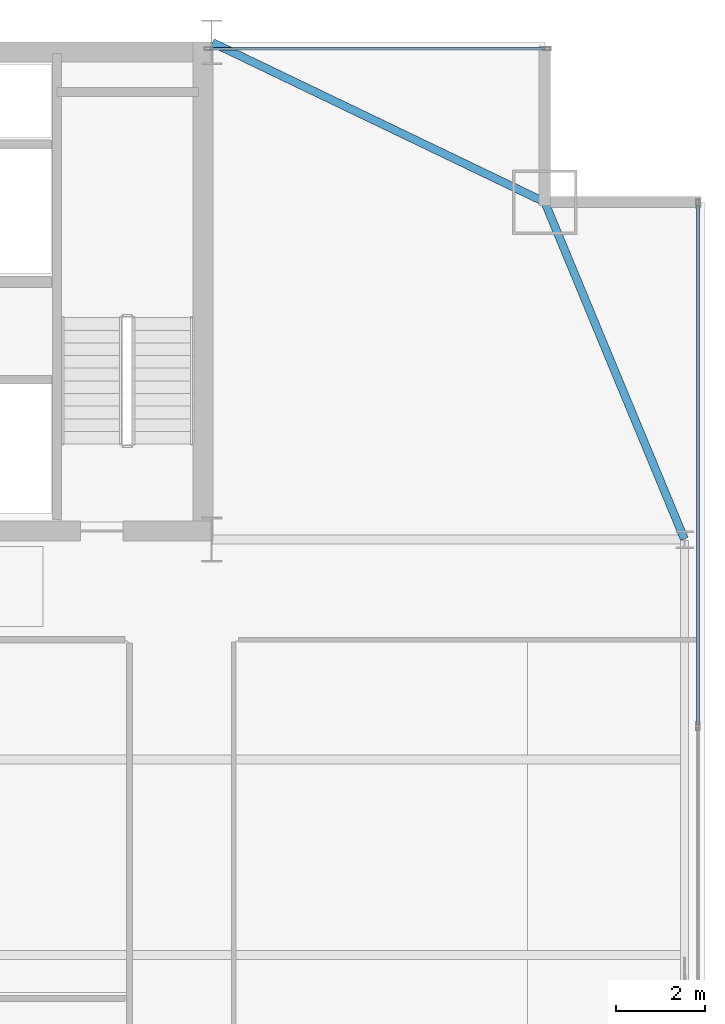
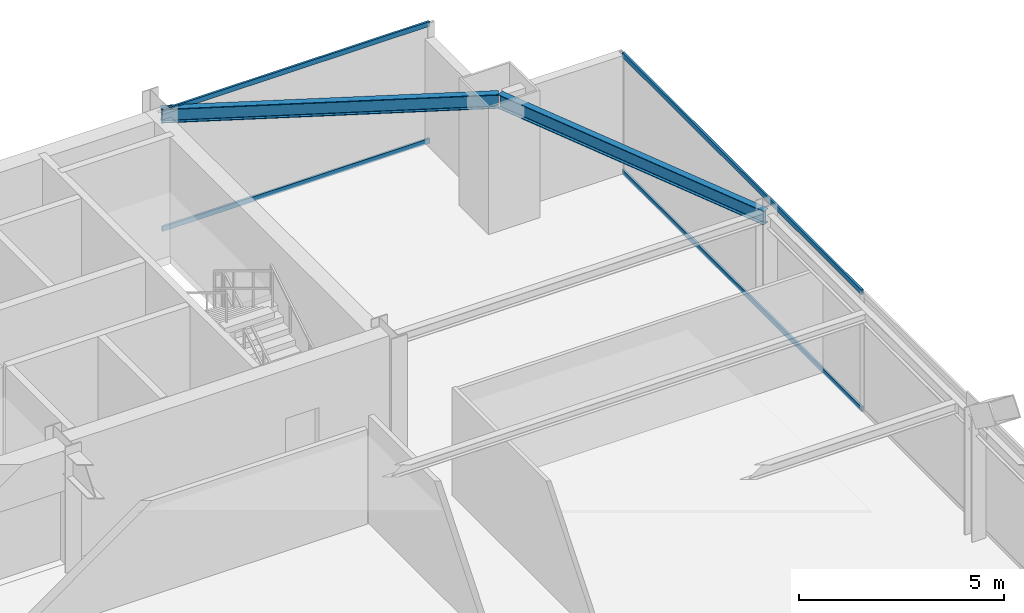
# One storey, part 25 of 37: 4 members, 2 beams, 2 elements without a shape of their own.
"""IFC4 building model written with IfcOpenShell, lengths in metres."""

from ifc_helpers import new_model, si_unit, direction, frame, origin, origin_2d, place, context, subcontext, project, spatial, hollow_rectangle, i_section, extrude, source, transform, mapped, material, layer, layer_set, material_profile, profile_set, type_object, type_shapes, element, aggregate, save


model = new_model("IFC4")

# Units and contexts
model_context = context("Model", 3, precision=1e-05, world=origin(), true_north=direction((0.0, 1.0)))
body_context = subcontext(model_context, "Body", "Model", "MODEL_VIEW")
ifc_project = project(units=[si_unit("LENGTHUNIT", "METRE"), si_unit("AREAUNIT", "SQUARE_METRE"), si_unit("VOLUMEUNIT", "CUBIC_METRE"), si_unit("PLANEANGLEUNIT", "RADIAN"), si_unit("MASSUNIT", "GRAM", prefix="KILO")], contexts=[model_context])

# Site, building, storey
site_placement = place(None, origin())
site = spatial("IfcSite", under=ifc_project, at=site_placement, CompositionType="ELEMENT")
building_placement = place(site_placement, origin())
building = spatial("IfcBuilding", under=site, at=building_placement, Name="Varnel Quay Broadcast Tower", CompositionType="ELEMENT")
storey_placement = place(building_placement, frame((0.0, 0.0, 106.800048828125)))
storey = spatial("IfcBuildingStorey", under=building, at=storey_placement, Name="L25", CompositionType="ELEMENT", Elevation=106.800048828125)

# Beams
ifc_material_1 = material(Name="Structural Steel CSA G40.21 350W", Category="steel")
ifc_material_profile_1 = material_profile(ifc_material_1, i_section(OverallWidth=0.180908203125, OverallDepth=0.4169921875, WebThickness=0.010986328125, FlangeThickness=0.018310546875, FilletRadius=0.011962890625, at=origin_2d()), Name="W410X85")
ifc_profile_set_1 = profile_set([ifc_material_profile_1], Name="Structural Steel CSA G40.21 350W")
beam_type = type_object("IfcBeamType", Name="Beam_W410X85", PredefinedType="SPANDREL", material=ifc_profile_set_1)
shared_shape_1 = source(origin(), body_context, "Body", "SweptSolid", [
    extrude(i_section(OverallWidth=0.180908203125, OverallDepth=0.4169921875, WebThickness=0.010986328125, FlangeThickness=0.018310546875, FilletRadius=0.011962890625, at=origin_2d()), origin(), (0.0, 0.0, 1.0), 8.186767578125),
])
beam_1_placement = place(storey_placement, frame((63.042236328125, 35.618408203125, 3.341552734375), z_axis=(-0.382874132092, 0.923800519038, 0.0), x_axis=(-0.923800519038, -0.382874132092, 0.0)))
element("IfcBeam", 1, at=beam_1_placement, inside=storey, type_object=beam_type, Name="L25 East Spandrel TC-E3-MC-NE", PredefinedType="SPANDREL", context=body_context, shape_type="MappedRepresentation", body=[
    mapped(shared_shape_1, transform((0.0, 0.0, 0.0), x_axis=(1.0, 0.0, 0.0), y_axis=(0.0, 1.0, 0.0), z_axis=(0.0, 0.0, 1.0), scale=1.0)),
])
shared_shape_2 = source(origin(), body_context, "Body", "SweptSolid", [
    extrude(i_section(OverallWidth=0.180908203125, OverallDepth=0.4169921875, WebThickness=0.010986328125, FlangeThickness=0.018310546875, FilletRadius=0.011962890625, at=origin_2d()), origin(), (0.0, 0.0, 1.0), 8.279296875),
])
type_shapes(beam_type, [shared_shape_1, shared_shape_2])
beam_2_placement = place(storey_placement, frame((52.41796875, 46.791259765625, 3.341552734375), z_axis=(0.901535021024, -0.432706142626, 0.0), x_axis=(0.432706142626, 0.901535021024, 0.0)))
element("IfcBeam", 2, at=beam_2_placement, inside=storey, type_object=beam_type, Name="L25 NE Tie Spandrel", PredefinedType="SPANDREL", context=body_context, shape_type="MappedRepresentation", body=[
    mapped(shared_shape_2, transform((0.0, 0.0, 0.0), x_axis=(1.0, 0.0, 0.0), y_axis=(0.0, 1.0, 0.0), z_axis=(0.0, 0.0, 1.0), scale=1.0)),
])

# Curtain wall, members
ifc_material_2 = material(Name="Anodised Bronze Aluminium 6063-T6", Category="aluminium")
ifc_layer = layer(ifc_material_2, 0.18994140625, Name="Anodised Bronze Aluminium 6063-T6")
ifc_layer_set = layer_set([ifc_layer], Name="Anodised Bronze Aluminium 6063-T6")
curtain_wall_type = type_object("IfcCurtainWallType", Name="CW_LowerTower", PredefinedType="NOTDEFINED", material=ifc_layer_set)
curtain_wall_1_placement = place(storey_placement, origin())
curtain_wall_1 = element("IfcCurtainWall", 3, at=curtain_wall_1_placement, inside=storey, type_object=curtain_wall_type, Name="L25 East Unitised Curtain Wall", PredefinedType="NOTDEFINED")
ifc_material_profile_2 = material_profile(ifc_material_2, hollow_rectangle(XDim=0.06005859375, YDim=0.14501953125, WallThickness=0.00341796875, at=origin_2d()), Name="ALU60X145X3.5")
ifc_profile_set_2 = profile_set([ifc_material_profile_2], Name="Anodised Bronze Aluminium 6063-T6")
member_type = type_object("IfcMemberType", Name="Tran_CWS-02", PredefinedType="USERDEFINED", material=ifc_profile_set_2)
shared_shape_3 = source(origin(), body_context, "Body", "SweptSolid", [
    extrude(hollow_rectangle(XDim=0.06005859375, YDim=0.14501953125, WallThickness=0.00341796875, at=origin_2d()), origin(), (0.0, 0.0, 1.0), 11.69482421875),
])
member_1_placement = place(storey_placement, frame((63.35009765625, 31.43505859375, 0.030029296875), z_axis=(0.0, 1.0, 0.0), x_axis=(-1.0, 0.0, 0.0)))
member_1 = element("IfcMember", 4, at=member_1_placement, type_object=member_type, Name="CWS-02 transom 3.1", ObjectType="TRANSOM", PredefinedType="USERDEFINED", context=body_context, shape_type="MappedRepresentation", body=[
    mapped(shared_shape_3, transform((0.0, 0.0, 0.0), x_axis=(1.0, 0.0, 0.0), y_axis=(0.0, 1.0, 0.0), z_axis=(0.0, 0.0, 1.0), scale=1.0)),
])
member_2_placement = place(storey_placement, frame((63.35009765625, 31.43505859375, 3.52001953125), z_axis=(0.0, 1.0, 0.0), x_axis=(-1.0, 0.0, 0.0)))
member_2 = element("IfcMember", 5, at=member_2_placement, type_object=member_type, Name="CWS-02 transom 3.2", ObjectType="TRANSOM", PredefinedType="USERDEFINED", context=body_context, shape_type="MappedRepresentation", body=[
    mapped(shared_shape_3, transform((0.0, 0.0, 0.0), x_axis=(1.0, 0.0, 0.0), y_axis=(0.0, 1.0, 0.0), z_axis=(0.0, 0.0, 1.0), scale=1.0)),
])
aggregate(curtain_wall_1, [member_1, member_2])

curtain_wall_2_placement = place(storey_placement, origin())
curtain_wall_2 = element("IfcCurtainWall", 6, at=curtain_wall_2_placement, inside=storey, type_object=curtain_wall_type, Name="L25 NE Wing Curtain Wall", PredefinedType="NOTDEFINED")
shared_shape_4 = source(origin(), body_context, "Body", "SweptSolid", [
    extrude(hollow_rectangle(XDim=0.06005859375, YDim=0.14501953125, WallThickness=0.00341796875, at=origin_2d()), origin(), (0.0, 0.0, 1.0), 7.539794921875),
])
type_shapes(member_type, [shared_shape_3, shared_shape_4])
member_3_placement = place(storey_placement, frame((52.3701171875, 46.64990234375, 0.030029296875), z_axis=(1.0, 0.0, 0.0), x_axis=(0.0, 1.0, 0.0)))
member_3 = element("IfcMember", 7, at=member_3_placement, type_object=member_type, Name="CWS-02 transom 1.1", ObjectType="TRANSOM", PredefinedType="USERDEFINED", context=body_context, shape_type="MappedRepresentation", body=[
    mapped(shared_shape_4, transform((0.0, 0.0, 0.0), x_axis=(1.0, 0.0, 0.0), y_axis=(0.0, 1.0, 0.0), z_axis=(0.0, 0.0, 1.0), scale=1.0)),
])
member_4_placement = place(storey_placement, frame((52.3701171875, 46.64990234375, 3.52001953125), z_axis=(1.0, 0.0, 0.0), x_axis=(0.0, 1.0, 0.0)))
member_4 = element("IfcMember", 8, at=member_4_placement, type_object=member_type, Name="CWS-02 transom 1.2", ObjectType="TRANSOM", PredefinedType="USERDEFINED", context=body_context, shape_type="MappedRepresentation", body=[
    mapped(shared_shape_4, transform((0.0, 0.0, 0.0), x_axis=(1.0, 0.0, 0.0), y_axis=(0.0, 1.0, 0.0), z_axis=(0.0, 0.0, 1.0), scale=1.0)),
])
aggregate(curtain_wall_2, [member_3, member_4])

save(model, "model.ifc")
